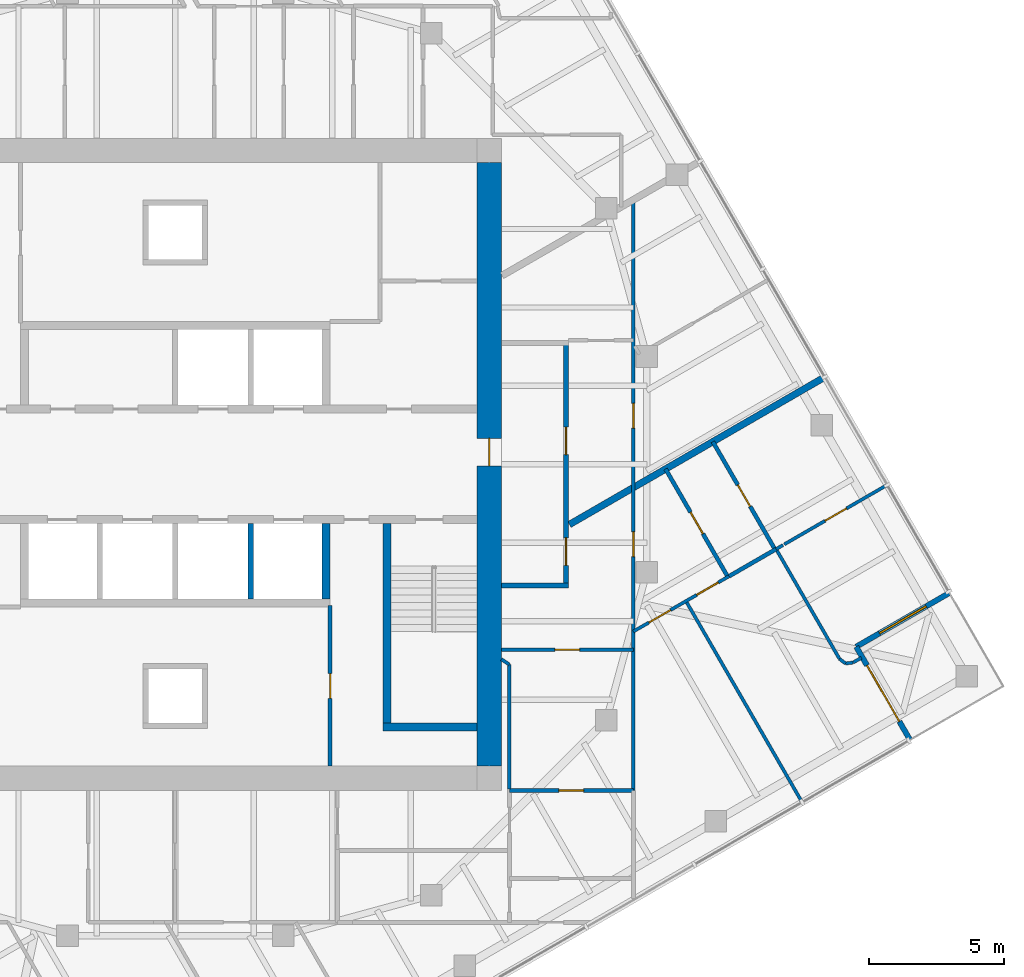
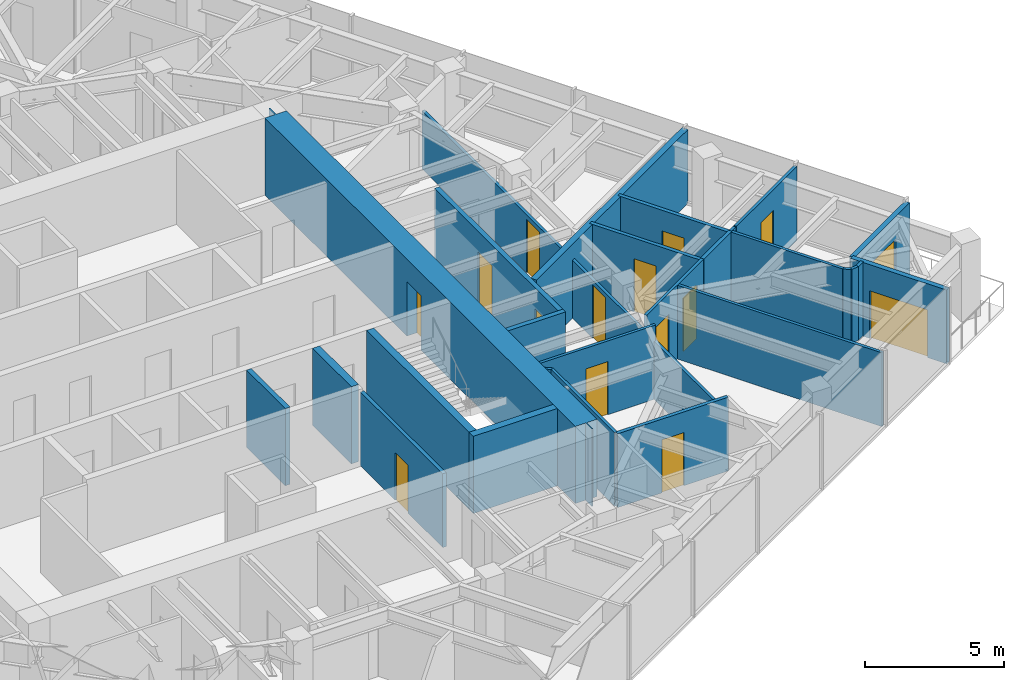
# One storey, part 9 of 13: 27 walls, 14 doors, 1 window, 15 openings.
"""IFC4 building model written with IfcOpenShell, lengths in metres."""

from ifc_helpers import new_model, si_unit, direction, frame, frame_2d, origin, place, context, subcontext, project, spatial, polyline, rectangle, outline, extrude, material, layer, layer_set, type_object, element, fill, save


model = new_model("IFC4")

# Units and contexts
model_context = context("Model", 3, precision=1e-05, world=origin(), true_north=direction((0.0, 1.0)))
body_context = subcontext(model_context, "Body", "Model", "MODEL_VIEW")
ifc_project = project(units=[si_unit("LENGTHUNIT", "METRE"), si_unit("AREAUNIT", "SQUARE_METRE"), si_unit("VOLUMEUNIT", "CUBIC_METRE"), si_unit("PLANEANGLEUNIT", "RADIAN"), si_unit("MASSUNIT", "GRAM", prefix="KILO")], contexts=[model_context])

# Site, building, storey
site_placement = place(None, origin())
site = spatial("IfcSite", under=ifc_project, at=site_placement, CompositionType="ELEMENT")
building_placement = place(site_placement, origin())
building = spatial("IfcBuilding", under=site, at=building_placement, Name="Torsade Residences", CompositionType="ELEMENT")
storey_placement = place(building_placement, frame((0.0, 0.0, 208.199951171875)))
storey = spatial("IfcBuildingStorey", under=building, at=storey_placement, Name="L57", CompositionType="ELEMENT", Elevation=208.199951171875)

# Walls
ifc_material_1 = material(Name="Concrete 80 MPa", Category="concrete")
ifc_layer_1 = layer(ifc_material_1, 0.300048828125)
ifc_layer_set_1 = layer_set([ifc_layer_1], Name="Concrete 80 MPa")
wall_type_1 = type_object("IfcWallType", Name="CORE INTERNAL WALL 300", PredefinedType="SHEAR", material=ifc_layer_set_1)
wall_1_placement = place(storey_placement, frame((45.60009765625, 27.800048828125, 0.0), z_axis=(0.0, 0.0, 1.0), x_axis=(0.0, -1.0, 0.0)))
element("IfcWall", 1, at=wall_1_placement, inside=storey, type_object=wall_type_1, Name="Core wall DS0 L57", PredefinedType="SHEAR", context=body_context, shape_type="SweptSolid", body=[
    extrude(rectangle(XDim=2.800048828125, YDim=0.300048828125, at=frame_2d((1.39990234375, 0.0))), origin(), (0.0, 0.0, 1.0), 3.400146484375),
])
wall_2_placement = place(storey_placement, frame((47.85009765625, 27.800048828125, 0.0), z_axis=(0.0, 0.0, 1.0), x_axis=(0.0, -1.0, 0.0)))
element("IfcWall", 2, at=wall_2_placement, inside=storey, type_object=wall_type_1, Name="Core wall ST2W L57", PredefinedType="SHEAR", context=body_context, shape_type="SweptSolid", body=[
    extrude(rectangle(XDim=7.699951171875, YDim=0.300048828125, at=frame_2d((3.85009765625, 0.0))), origin(), (0.0, 0.0, 1.0), 3.400146484375),
])
wall_3_placement = place(storey_placement, frame((51.199951171875, 20.25, 0.0), z_axis=(0.0, 0.0, 1.0), x_axis=(-1.0, 0.0, 0.0)))
element("IfcWall", 3, at=wall_3_placement, inside=storey, type_object=wall_type_1, Name="Core wall ST2S L57", PredefinedType="SHEAR", context=body_context, shape_type="SweptSolid", body=[
    extrude(rectangle(XDim=3.5, YDim=0.300048828125, at=frame_2d((1.75, 0.0))), origin(), (0.0, 0.0, 1.0), 3.400146484375),
])

# Wall, opening, door
ifc_material_2 = material(Name="Concrete 80 MPa", Category="concrete")
ifc_layer_2 = layer(ifc_material_2, 0.89990234375)
ifc_layer_set_2 = layer_set([ifc_layer_2], Name="Concrete 80 MPa")
wall_type_2 = type_object("IfcWallType", Name="CORE WALL 900", PredefinedType="SHEAR", material=ifc_layer_set_2)
wall_4_placement = place(storey_placement, frame((51.64990234375, 18.800048828125, 0.0), z_axis=(0.0, 0.0, 1.0), x_axis=(0.0, 1.0, 0.0)))
wall_4 = element("IfcWall", 4, at=wall_4_placement, inside=storey, type_object=wall_type_2, Name="Core wall E L57", PredefinedType="SHEAR", context=body_context, shape_type="SweptSolid", body=[
    extrude(outline(polyline([(0.0, -0.449951171875), (22.39990234375, -0.449951171875), (22.39990234375, -0.02490234375), (22.849853515625, -0.02490234375), (22.849853515625, 0.02490234375), (22.39990234375, 0.02490234375), (22.39990234375, 0.449951171875), (0.0, 0.449951171875), (0.0, 0.02490234375), (-0.449951171875, 0.02490234375), (-0.449951171875, -0.02490234375), (0.0, -0.02490234375), (0.0, -0.449951171875)])), origin(), (0.0, 0.0, 1.0), 3.400146484375),
])
opening_1_placement = place(wall_4_placement, frame((11.139892578125, 0.0, 0.0)))
opening_1 = element("IfcOpeningElement", 5, at=opening_1_placement, cuts=wall_4, Name="Opening D04", PredefinedType="OPENING", context=body_context, shape_type="SweptSolid", body=[
    extrude(rectangle(XDim=1.02001953125, YDim=2.39990234375, at=frame_2d((0.510009765625, 1.199951171875))), frame((0.0, 0.4599609375, 0.0), z_axis=(0.0, -1.0, 0.0), x_axis=(1.0, 0.0, 0.0)), (0.0, 0.0, 1.0), 0.919921875),
])
ifc_material_3 = material(Name="Steel-framed fire door", Category="steel")
door_type_1 = type_object("IfcDoorType", Name="LOBBY SMOKE DOOR 1020x2400", OperationType="NOTDEFINED", PredefinedType="DOOR", material=ifc_material_3)
door_1_placement = place(opening_1_placement, origin())
door_1 = element("IfcDoor", 6, at=door_1_placement, inside=storey, type_object=door_type_1, Name="Lift lobby door E L57", OperationType="SINGLE_SWING_LEFT", OverallHeight=2.39990234375, OverallWidth=1.02001953125, PredefinedType="DOOR", context=body_context, shape_type="SweptSolid", body=[
    extrude(rectangle(XDim=1.02001953125, YDim=2.39990234375, at=frame_2d((0.510009765625, 1.199951171875))), frame((0.0, 0.02490234375, 0.0), z_axis=(0.0, -1.0, 0.0), x_axis=(1.0, 0.0, 0.0)), (0.0, 0.0, 1.0), 0.050048828125),
])
fill(opening_1, door_1)

# Wall, openings, doors
ifc_material_4 = material(Name="Plasterboard on steel stud", Category="steel")
ifc_layer_3 = layer(ifc_material_4, 0.199951171875)
ifc_layer_set_3 = layer_set([ifc_layer_3], Name="Plasterboard on steel stud")
wall_type_3 = type_object("IfcWallType", Name="CORRIDOR WALL 200", PredefinedType="PARTITIONING", material=ifc_layer_set_3)
wall_5_placement = place(storey_placement, frame((54.5, 25.5, 0.0), z_axis=(0.0, 0.0, 1.0), x_axis=(0.0, 1.0, 0.0)))
wall_5 = element("IfcWall", 7, at=wall_5_placement, inside=storey, type_object=wall_type_3, Name="Corridor wall L57", PredefinedType="PARTITIONING", context=body_context, shape_type="SweptSolid", body=[
    extrude(rectangle(XDim=9.0, YDim=0.199951171875, at=frame_2d((4.5, 0.0))), origin(), (0.0, 0.0, 1.0), 3.25),
])
opening_2_placement = place(wall_5_placement, frame((4.862060546875, 0.0, 0.0)))
opening_2 = element("IfcOpeningElement", 8, at=opening_2_placement, cuts=wall_5, Name="Opening D01", PredefinedType="OPENING", context=body_context, shape_type="SweptSolid", body=[
    extrude(rectangle(XDim=1.02001953125, YDim=2.340087890625, at=frame_2d((0.510009765625, 1.169921875))), frame((0.0, 0.10986328125, 0.0), z_axis=(0.0, -1.0, 0.0), x_axis=(1.0, 0.0, 0.0)), (0.0, 0.0, 1.0), 0.219970703125),
])
opening_3_placement = place(wall_5_placement, frame((0.750732421875, 0.0, 0.0)))
opening_3 = element("IfcOpeningElement", 9, at=opening_3_placement, cuts=wall_5, Name="Opening D01", PredefinedType="OPENING", context=body_context, shape_type="SweptSolid", body=[
    extrude(rectangle(XDim=1.02001953125, YDim=2.340087890625, at=frame_2d((0.510009765625, 1.169921875))), frame((0.0, 0.10986328125, 0.0), z_axis=(0.0, -1.0, 0.0), x_axis=(1.0, 0.0, 0.0)), (0.0, 0.0, 1.0), 0.219970703125),
])
ifc_material_5 = material(Name="Solid-core timber fire door", Category="wood")
door_type_2 = type_object("IfcDoorType", Name="APARTMENT ENTRY DOOR 1020x2340", OperationType="NOTDEFINED", PredefinedType="DOOR", material=ifc_material_5)
door_2_placement = place(opening_2_placement, origin())
door_2 = element("IfcDoor", 10, at=door_2_placement, inside=storey, type_object=door_type_2, Name="Door Residential corridor to Kitchen and dining", OperationType="SINGLE_SWING_LEFT", OverallHeight=2.340087890625, OverallWidth=1.02001953125, PredefinedType="DOOR", context=body_context, shape_type="SweptSolid", body=[
    extrude(rectangle(XDim=1.02001953125, YDim=2.340087890625, at=frame_2d((0.510009765625, 1.169921875))), frame((0.0, 0.02490234375, 0.0), z_axis=(0.0, -1.0, 0.0), x_axis=(1.0, 0.0, 0.0)), (0.0, 0.0, 1.0), 0.050048828125),
])
fill(opening_2, door_2)
door_3_placement = place(opening_3_placement, origin())
door_3 = element("IfcDoor", 11, at=door_3_placement, inside=storey, type_object=door_type_2, Name="Door Residential corridor to Kitchen and dining", OperationType="SINGLE_SWING_LEFT", OverallHeight=2.340087890625, OverallWidth=1.02001953125, PredefinedType="DOOR", context=body_context, shape_type="SweptSolid", body=[
    extrude(rectangle(XDim=1.02001953125, YDim=2.340087890625, at=frame_2d((0.510009765625, 1.169921875))), frame((0.0, 0.02490234375, 0.0), z_axis=(0.0, -1.0, 0.0), x_axis=(1.0, 0.0, 0.0)), (0.0, 0.0, 1.0), 0.050048828125),
])
fill(opening_3, door_3)

# Walls
wall_6_placement = place(storey_placement, frame((52.10009765625, 25.5, 0.0), z_axis=(0.0, 0.0, 1.0), x_axis=(1.0, 0.0, 0.0)))
element("IfcWall", 12, at=wall_6_placement, inside=storey, type_object=wall_type_3, Name="Corridor wall L57", PredefinedType="PARTITIONING", context=body_context, shape_type="SweptSolid", body=[
    extrude(rectangle(XDim=2.5, YDim=0.199951171875, at=frame_2d((1.25, 0.0))), origin(), (0.0, 0.0, 1.0), 3.25),
])
ifc_material_6 = material(Name="Reinforced blockwork", Category="masonry")
ifc_layer_4 = layer(ifc_material_6, 0.199951171875)
ifc_layer_set_4 = layer_set([ifc_layer_4], Name="Reinforced blockwork")
wall_type_4 = type_object("IfcWallType", Name="LIFT SHAFT DIVIDING WALL 200", PredefinedType="SOLIDWALL", material=ifc_layer_set_4)
wall_7_placement = place(storey_placement, frame((42.800048828125, 27.800048828125, 0.0), z_axis=(0.0, 0.0, 1.0), x_axis=(0.0, -1.0, 0.0)))
element("IfcWall", 13, at=wall_7_placement, inside=storey, type_object=wall_type_4, Name="Core wall DS1 L57", PredefinedType="SOLIDWALL", context=body_context, shape_type="SweptSolid", body=[
    extrude(rectangle(XDim=2.800048828125, YDim=0.199951171875, at=frame_2d((1.39990234375, 0.0))), origin(), (0.0, 0.0, 1.0), 3.400146484375),
])

# Wall, opening, door
ifc_material_7 = material(Name="Plasterboard on steel stud", Category="steel")
ifc_layer_5 = layer(ifc_material_7, 0.1201171875)
ifc_layer_set_5 = layer_set([ifc_layer_5], Name="Plasterboard on steel stud")
wall_type_5 = type_object("IfcWallType", Name="PARTITION 120", PredefinedType="PARTITIONING", material=ifc_layer_set_5)
wall_8_placement = place(storey_placement, frame((57.0, 23.116455078125, 0.0), z_axis=(0.0, 0.0, 1.0), x_axis=(-1.0, 0.0, 0.0)))
wall_8 = element("IfcWall", 14, at=wall_8_placement, inside=storey, type_object=wall_type_5, Name="Partition L57", PredefinedType="PARTITIONING", context=body_context, shape_type="SweptSolid", body=[
    extrude(rectangle(XDim=4.89990234375, YDim=0.1201171875, at=frame_2d((2.449951171875, 0.0))), origin(), (0.0, 0.0, 1.0), 3.25),
])
opening_4_placement = place(wall_8_placement, frame((1.989990234375, 0.0, 0.0)))
opening_4 = element("IfcOpeningElement", 15, at=opening_4_placement, cuts=wall_8, Name="Opening D02", PredefinedType="OPENING", context=body_context, shape_type="SweptSolid", body=[
    extrude(rectangle(XDim=0.919921875, YDim=2.340087890625, at=frame_2d((0.4599609375, 1.169921875))), frame((0.0, 0.070068359375, 0.0), z_axis=(0.0, -1.0, 0.0), x_axis=(1.0, 0.0, 0.0)), (0.0, 0.0, 1.0), 0.14013671875),
])
ifc_material_8 = material(Name="Hollow-core timber door", Category="wood")
door_type_3 = type_object("IfcDoorType", Name="INTERNAL DOOR 920x2340", OperationType="NOTDEFINED", PredefinedType="DOOR", material=ifc_material_8)
door_4_placement = place(opening_4_placement, origin())
door_4 = element("IfcDoor", 16, at=door_4_placement, inside=storey, type_object=door_type_3, Name="Door Kitchen and dining to Walk-in robe", OperationType="SINGLE_SWING_LEFT", OverallHeight=2.340087890625, OverallWidth=0.919921875, PredefinedType="DOOR", context=body_context, shape_type="SweptSolid", body=[
    extrude(rectangle(XDim=0.919921875, YDim=2.340087890625, at=frame_2d((0.4599609375, 1.169921875))), frame((0.0, 0.02490234375, 0.0), z_axis=(0.0, -1.0, 0.0), x_axis=(1.0, 0.0, 0.0)), (0.0, 0.0, 1.0), 0.050048828125),
])
fill(opening_4, door_4)

# Wall, openings, doors
wall_9_placement = place(storey_placement, frame((57.0, 39.81494140625, 0.0), z_axis=(0.0, 0.0, 1.0), x_axis=(0.0, -1.0, 0.0)))
wall_9 = element("IfcWall", 17, at=wall_9_placement, inside=storey, type_object=wall_type_5, Name="Partition L57", PredefinedType="PARTITIONING", context=body_context, shape_type="SweptSolid", body=[
    extrude(rectangle(XDim=21.919189453125, YDim=0.1201171875, at=frame_2d((10.95947265625, 0.0))), origin(), (0.0, 0.0, 1.0), 2.550048828125),
])
opening_5_placement = place(wall_9_placement, frame((7.55078125, 0.0, 0.0)))
opening_5 = element("IfcOpeningElement", 18, at=opening_5_placement, cuts=wall_9, Name="Opening D02", PredefinedType="OPENING", context=body_context, shape_type="SweptSolid", body=[
    extrude(rectangle(XDim=0.919921875, YDim=2.340087890625, at=frame_2d((0.4599609375, 1.169921875))), frame((0.0, 0.070068359375, 0.0), z_axis=(0.0, -1.0, 0.0), x_axis=(1.0, 0.0, 0.0)), (0.0, 0.0, 1.0), 0.14013671875),
])
opening_6_placement = place(wall_9_placement, frame((12.320068359375, 0.0, 0.0)))
opening_6 = element("IfcOpeningElement", 19, at=opening_6_placement, cuts=wall_9, Name="Opening D02", PredefinedType="OPENING", context=body_context, shape_type="SweptSolid", body=[
    extrude(rectangle(XDim=0.919921875, YDim=2.340087890625, at=frame_2d((0.4599609375, 1.169921875))), frame((0.0, 0.070068359375, 0.0), z_axis=(0.0, -1.0, 0.0), x_axis=(1.0, 0.0, 0.0)), (0.0, 0.0, 1.0), 0.14013671875),
])
door_5_placement = place(opening_5_placement, origin())
door_5 = element("IfcDoor", 20, at=door_5_placement, inside=storey, type_object=door_type_3, Name="Door Kitchen and dining to Living room", OperationType="SINGLE_SWING_LEFT", OverallHeight=2.340087890625, OverallWidth=0.919921875, PredefinedType="DOOR", context=body_context, shape_type="SweptSolid", body=[
    extrude(rectangle(XDim=0.919921875, YDim=2.340087890625, at=frame_2d((0.4599609375, 1.169921875))), frame((0.0, 0.02490234375, 0.0), z_axis=(0.0, -1.0, 0.0), x_axis=(1.0, 0.0, 0.0)), (0.0, 0.0, 1.0), 0.050048828125),
])
fill(opening_5, door_5)
door_6_placement = place(opening_6_placement, origin())
door_6 = element("IfcDoor", 21, at=door_6_placement, inside=storey, type_object=door_type_3, Name="Door Kitchen and dining to Walk-in robe 3", OperationType="SINGLE_SWING_RIGHT", OverallHeight=2.340087890625, OverallWidth=0.919921875, PredefinedType="DOOR", context=body_context, shape_type="SweptSolid", body=[
    extrude(rectangle(XDim=0.919921875, YDim=2.340087890625, at=frame_2d((0.4599609375, 1.169921875))), frame((0.0, 0.02490234375, 0.0), z_axis=(0.0, -1.0, 0.0), x_axis=(1.0, 0.0, 0.0)), (0.0, 0.0, 1.0), 0.050048828125),
])
fill(opening_6, door_6)

# Walls
wall_10_placement = place(storey_placement, frame((52.10009765625, 22.766357421875, 0.0), z_axis=(0.0, 0.0, 1.0), x_axis=(0.830477359488, -0.55705238118, 0.0)))
element("IfcWall", 22, at=wall_10_placement, inside=storey, type_object=wall_type_5, Name="Partition L57", PredefinedType="PARTITIONING", context=body_context, shape_type="SweptSolid", body=[
    extrude(rectangle(XDim=0.35888671875, YDim=0.1201171875, at=frame_2d((0.179443359375, 0.0))), origin(), (0.0, 0.0, 1.0), 3.25),
])
wall_11_placement = place(storey_placement, frame((52.398193359375, 22.56640625, 0.0), z_axis=(0.0, 0.0, 1.0), x_axis=(0.0, -1.0, 0.0)))
element("IfcWall", 23, at=wall_11_placement, inside=storey, type_object=wall_type_5, Name="Partition L57", PredefinedType="PARTITIONING", context=body_context, shape_type="SweptSolid", body=[
    extrude(rectangle(XDim=4.62060546875, YDim=0.1201171875, at=frame_2d((2.310302734375, 0.0))), origin(), (0.0, 0.0, 1.0), 3.25),
])
wall_12_placement = place(storey_placement, frame((63.24609375, 17.486572265625, 0.0), z_axis=(0.0, 0.0, 1.0), x_axis=(-0.49999898161, 0.866025991751, 0.0)))
element("IfcWall", 24, at=wall_12_placement, inside=storey, type_object=wall_type_5, Name="Partition L57", PredefinedType="PARTITIONING", context=body_context, shape_type="SweptSolid", body=[
    extrude(rectangle(XDim=8.5849609375, YDim=0.1201171875, at=frame_2d((4.29248046875, 0.0))), origin(), (0.0, 0.0, 1.0), 3.25),
])

# Wall, openings, doors
wall_13_placement = place(storey_placement, frame((57.0, 23.79345703125, 0.0), z_axis=(0.0, 0.0, 1.0), x_axis=(0.866007146345, 0.50003162148, 0.0)))
wall_13 = element("IfcWall", 25, at=wall_13_placement, inside=storey, type_object=wall_type_5, Name="Partition L57", PredefinedType="PARTITIONING", context=body_context, shape_type="SweptSolid", body=[
    extrude(rectangle(XDim=4.101318359375, YDim=0.1201171875, at=frame_2d((2.05078125, 0.0))), origin(), (0.0, 0.0, 1.0), 3.25),
])
opening_7_placement = place(wall_13_placement, frame((0.66796875, 0.0, 0.0)))
opening_7 = element("IfcOpeningElement", 26, at=opening_7_placement, cuts=wall_13, Name="Opening D02", PredefinedType="OPENING", context=body_context, shape_type="SweptSolid", body=[
    extrude(rectangle(XDim=0.919921875, YDim=2.340087890625, at=frame_2d((0.4599609375, 1.169921875))), frame((0.0, 0.070068359375, 0.0), z_axis=(0.0, -1.0, 0.0), x_axis=(1.0, 0.0, 0.0)), (0.0, 0.0, 1.0), 0.14013671875),
])
opening_8_placement = place(wall_13_placement, frame((2.718505859375, 0.0, 0.0)))
opening_8 = element("IfcOpeningElement", 27, at=opening_8_placement, cuts=wall_13, Name="Opening D02", PredefinedType="OPENING", context=body_context, shape_type="SweptSolid", body=[
    extrude(rectangle(XDim=0.919921875, YDim=2.340087890625, at=frame_2d((0.4599609375, 1.169921875))), frame((0.0, 0.070068359375, 0.0), z_axis=(0.0, -1.0, 0.0), x_axis=(1.0, 0.0, 0.0)), (0.0, 0.0, 1.0), 0.14013671875),
])
door_7_placement = place(opening_7_placement, origin())
door_7 = element("IfcDoor", 28, at=door_7_placement, inside=storey, type_object=door_type_3, Name="Door Walk-in robe 3 to Bedroom 2", OperationType="SINGLE_SWING_LEFT", OverallHeight=2.340087890625, OverallWidth=0.919921875, PredefinedType="DOOR", context=body_context, shape_type="SweptSolid", body=[
    extrude(rectangle(XDim=0.919921875, YDim=2.340087890625, at=frame_2d((0.4599609375, 1.169921875))), frame((0.0, 0.02490234375, 0.0), z_axis=(0.0, -1.0, 0.0), x_axis=(1.0, 0.0, 0.0)), (0.0, 0.0, 1.0), 0.050048828125),
])
fill(opening_7, door_7)
door_8_placement = place(opening_8_placement, origin())
door_8 = element("IfcDoor", 29, at=door_8_placement, inside=storey, type_object=door_type_3, Name="Door Walk-in robe 3 to Bedroom 1", OperationType="SINGLE_SWING_RIGHT", OverallHeight=2.340087890625, OverallWidth=0.919921875, PredefinedType="DOOR", context=body_context, shape_type="SweptSolid", body=[
    extrude(rectangle(XDim=0.919921875, YDim=2.340087890625, at=frame_2d((0.4599609375, 1.169921875))), frame((0.0, 0.02490234375, 0.0), z_axis=(0.0, -1.0, 0.0), x_axis=(1.0, 0.0, 0.0)), (0.0, 0.0, 1.0), 0.050048828125),
])
fill(opening_8, door_8)

# Walls
wall_14_placement = place(storey_placement, frame((62.298583984375, 26.8525390625, 0.0), z_axis=(0.0, 0.0, 1.0), x_axis=(0.500006955494, -0.866021387991, 0.0)))
element("IfcWall", 30, at=wall_14_placement, inside=storey, type_object=wall_type_5, Name="Partition L57", PredefinedType="PARTITIONING", context=body_context, shape_type="SweptSolid", body=[
    extrude(rectangle(XDim=4.70458984375, YDim=0.1201171875, at=frame_2d((2.352294921875, 0.0))), origin(), (0.0, 0.0, 1.0), 3.25),
])
wall_15_placement = place(storey_placement, frame((64.65087890625, 22.7783203125, 0.0), z_axis=(0.0, 0.0, 1.0), x_axis=(0.793231928283, -0.608919623557, 0.0)))
element("IfcWall", 31, at=wall_15_placement, inside=storey, type_object=wall_type_5, Name="Partition L57", PredefinedType="PARTITIONING", context=body_context, shape_type="SweptSolid", body=[
    extrude(rectangle(XDim=0.283447265625, YDim=0.1201171875, at=frame_2d((0.1416015625, 0.0))), origin(), (0.0, 0.0, 1.0), 3.25),
])
wall_16_placement = place(storey_placement, frame((64.875732421875, 22.605712890625, 0.0), z_axis=(0.0, 0.0, 1.0), x_axis=(0.991407364485, 0.130810693925, 0.0)))
element("IfcWall", 32, at=wall_16_placement, inside=storey, type_object=wall_type_5, Name="Partition L57", PredefinedType="PARTITIONING", context=body_context, shape_type="SweptSolid", body=[
    extrude(rectangle(XDim=0.28369140625, YDim=0.1201171875, at=frame_2d((0.141845703125, 0.0))), origin(), (0.0, 0.0, 1.0), 3.25),
])
wall_17_placement = place(storey_placement, frame((65.156982421875, 22.642822265625, 0.0), z_axis=(0.0, 0.0, 1.0), x_axis=(0.866058575552, 0.499942540411, 0.0)))
element("IfcWall", 33, at=wall_17_placement, inside=storey, type_object=wall_type_5, Name="Partition L57", PredefinedType="PARTITIONING", context=body_context, shape_type="SweptSolid", body=[
    extrude(rectangle(XDim=0.35205078125, YDim=0.1201171875, at=frame_2d((0.176025390625, 0.0))), origin(), (0.0, 0.0, 1.0), 3.25),
])
wall_18_placement = place(storey_placement, frame((62.5546875, 27.00048828125, 0.0), z_axis=(0.0, 0.0, 1.0), x_axis=(-0.865896854829, -0.500222587251, 0.0)))
element("IfcWall", 34, at=wall_18_placement, inside=storey, type_object=wall_type_5, Name="Partition L57", PredefinedType="PARTITIONING", context=body_context, shape_type="SweptSolid", body=[
    extrude(rectangle(XDim=0.295654296875, YDim=0.1201171875, at=frame_2d((0.14794921875, 0.0))), origin(), (0.0, 0.0, 1.0), 3.25),
])

# Wall, opening, door
wall_19_placement = place(storey_placement, frame((66.388427734375, 29.2138671875, 0.0), z_axis=(0.0, 0.0, 1.0), x_axis=(-0.866032173762, -0.499988273872, 0.0)))
wall_19 = element("IfcWall", 35, at=wall_19_placement, inside=storey, type_object=wall_type_5, Name="Partition L57", PredefinedType="PARTITIONING", context=body_context, shape_type="SweptSolid", body=[
    extrude(rectangle(XDim=4.37255859375, YDim=0.1201171875, at=frame_2d((2.186279296875, 0.0))), origin(), (0.0, 0.0, 1.0), 3.25),
])
opening_9_placement = place(wall_19_placement, frame((1.706298828125, 0.0, 0.0)))
opening_9 = element("IfcOpeningElement", 36, at=opening_9_placement, cuts=wall_19, Name="Opening D02", PredefinedType="OPENING", context=body_context, shape_type="SweptSolid", body=[
    extrude(rectangle(XDim=0.919921875, YDim=2.340087890625, at=frame_2d((0.4599609375, 1.169921875))), frame((0.0, 0.070068359375, 0.0), z_axis=(0.0, -1.0, 0.0), x_axis=(1.0, 0.0, 0.0)), (0.0, 0.0, 1.0), 0.14013671875),
])
door_9_placement = place(opening_9_placement, origin())
door_9 = element("IfcDoor", 37, at=door_9_placement, inside=storey, type_object=door_type_3, Name="Door Family room to Family room 2", OperationType="SINGLE_SWING_RIGHT", OverallHeight=2.340087890625, OverallWidth=0.919921875, PredefinedType="DOOR", context=body_context, shape_type="SweptSolid", body=[
    extrude(rectangle(XDim=0.919921875, YDim=2.340087890625, at=frame_2d((0.4599609375, 1.169921875))), frame((0.0, 0.02490234375, 0.0), z_axis=(0.0, -1.0, 0.0), x_axis=(1.0, 0.0, 0.0)), (0.0, 0.0, 1.0), 0.050048828125),
])
fill(opening_9, door_9)

# Wall
ifc_material_9 = material(Name="Masonry-lined stud party wall", Category="masonry")
ifc_layer_6 = layer(ifc_material_9, 0.25)
ifc_layer_set_6 = layer_set([ifc_layer_6], Name="Masonry-lined stud party wall")
wall_type_6 = type_object("IfcWallType", Name="PARTY WALL 250", PredefinedType="PARTITIONING", material=ifc_layer_set_6)
wall_20_placement = place(storey_placement, frame((64.110595703125, 33.2392578125, 0.0), z_axis=(0.0, 0.0, 1.0), x_axis=(-0.866024069551, -0.500002310952, 0.0)))
element("IfcWall", 38, at=wall_20_placement, inside=storey, type_object=wall_type_6, Name="Party wall L57", PredefinedType="PARTITIONING", context=body_context, shape_type="SweptSolid", body=[
    extrude(rectangle(XDim=10.94970703125, YDim=0.25, at=frame_2d((5.474853515625, 0.0))), origin(), (0.0, 0.0, 1.0), 3.25),
])

# Wall, opening, door
ifc_material_10 = material(Name="Reinforced blockwork", Category="masonry")
ifc_layer_7 = layer(ifc_material_10, 0.14990234375)
ifc_layer_set_7 = layer_set([ifc_layer_7], Name="Reinforced blockwork")
wall_type_7 = type_object("IfcWallType", Name="SERVICE ROOM WALL 150", PredefinedType="SOLIDWALL", material=ifc_layer_set_7)
wall_21_placement = place(storey_placement, frame((45.75, 18.800048828125, 0.0), z_axis=(0.0, 0.0, 1.0), x_axis=(0.0, 1.0, 0.0)))
wall_21 = element("IfcWall", 39, at=wall_21_placement, inside=storey, type_object=wall_type_7, Name="Service room wall L57", PredefinedType="SOLIDWALL", context=body_context, shape_type="SweptSolid", body=[
    extrude(rectangle(XDim=5.949951171875, YDim=0.14990234375, at=frame_2d((2.97509765625, 0.0))), origin(), (0.0, 0.0, 1.0), 3.25),
])
opening_10_placement = place(wall_21_placement, frame((2.514892578125, 0.0, 0.0)))
opening_10 = element("IfcOpeningElement", 40, at=opening_10_placement, cuts=wall_21, Name="Opening D06", PredefinedType="OPENING", context=body_context, shape_type="SweptSolid", body=[
    extrude(rectangle(XDim=0.919921875, YDim=2.10009765625, at=frame_2d((0.4599609375, 1.050048828125))), frame((0.0, 0.0849609375, 0.0), z_axis=(0.0, -1.0, 0.0), x_axis=(1.0, 0.0, 0.0)), (0.0, 0.0, 1.0), 0.169921875),
])
ifc_material_11 = material(Name="Steel-framed fire door", Category="steel")
door_type_4 = type_object("IfcDoorType", Name="FIRE DOOR 920", OperationType="NOTDEFINED", PredefinedType="DOOR", material=ifc_material_11)
door_10_placement = place(opening_10_placement, origin())
door_10 = element("IfcDoor", 41, at=door_10_placement, inside=storey, type_object=door_type_4, Name="Door Communications equipment store to Communications riser room", OperationType="SINGLE_SWING_LEFT", OverallHeight=2.10009765625, OverallWidth=0.919921875, PredefinedType="DOOR", context=body_context, shape_type="SweptSolid", body=[
    extrude(rectangle(XDim=0.919921875, YDim=2.10009765625, at=frame_2d((0.4599609375, 1.050048828125))), frame((0.0, 0.02490234375, 0.0), z_axis=(0.0, -1.0, 0.0), x_axis=(1.0, 0.0, 0.0)), (0.0, 0.0, 1.0), 0.050048828125),
])
fill(opening_10, door_10)

wall_22_placement = place(storey_placement, frame((57.0, 17.895751953125, 0.0), z_axis=(0.0, 0.0, 1.0), x_axis=(-1.0, 0.0, 0.0)))
wall_22 = element("IfcWall", 42, at=wall_22_placement, inside=storey, type_object=wall_type_7, Name="Service room wall L57", PredefinedType="SOLIDWALL", context=body_context, shape_type="SweptSolid", body=[
    extrude(rectangle(XDim=4.601806640625, YDim=0.14990234375, at=frame_2d((2.30078125, 0.0))), origin(), (0.0, 0.0, 1.0), 3.25),
])
opening_11_placement = place(wall_22_placement, frame((1.8408203125, 0.0, 0.0)))
opening_11 = element("IfcOpeningElement", 43, at=opening_11_placement, cuts=wall_22, Name="Opening D02", PredefinedType="OPENING", context=body_context, shape_type="SweptSolid", body=[
    extrude(rectangle(XDim=0.919921875, YDim=2.340087890625, at=frame_2d((0.4599609375, 1.169921875))), frame((0.0, 0.0849609375, 0.0), z_axis=(0.0, -1.0, 0.0), x_axis=(1.0, 0.0, 0.0)), (0.0, 0.0, 1.0), 0.169921875),
])
door_11_placement = place(opening_11_placement, origin())
door_11 = element("IfcDoor", 44, at=door_11_placement, inside=storey, type_object=door_type_3, Name="Door Walk-in robe to Store", OperationType="SINGLE_SWING_LEFT", OverallHeight=2.340087890625, OverallWidth=0.919921875, PredefinedType="DOOR", context=body_context, shape_type="SweptSolid", body=[
    extrude(rectangle(XDim=0.919921875, YDim=2.340087890625, at=frame_2d((0.4599609375, 1.169921875))), frame((0.0, 0.02490234375, 0.0), z_axis=(0.0, -1.0, 0.0), x_axis=(1.0, 0.0, 0.0)), (0.0, 0.0, 1.0), 0.050048828125),
])
fill(opening_11, door_11)

# Wall
wall_23_placement = place(storey_placement, frame((60.5517578125, 25.84423828125, 0.0), z_axis=(0.0, 0.0, 1.0), x_axis=(0.866074730264, 0.499914554297, 0.0)))
element("IfcWall", 45, at=wall_23_placement, inside=storey, type_object=wall_type_7, Name="Service room wall L57", PredefinedType="SOLIDWALL", context=body_context, shape_type="SweptSolid", body=[
    extrude(rectangle(XDim=2.016845703125, YDim=0.14990234375, at=frame_2d((1.00830078125, 0.0))), origin(), (0.0, 0.0, 1.0), 3.25),
])

# Wall, opening, door
wall_24_placement = place(storey_placement, frame((62.2626953125, 26.83203125, 0.0), z_axis=(0.0, 0.0, 1.0), x_axis=(-0.499999662836, 0.866025598446, 0.0)))
wall_24 = element("IfcWall", 46, at=wall_24_placement, inside=storey, type_object=wall_type_7, Name="Service room wall L57", PredefinedType="SOLIDWALL", context=body_context, shape_type="SweptSolid", body=[
    extrude(rectangle(XDim=4.625, YDim=0.14990234375, at=frame_2d((2.3125, 0.0))), origin(), (0.0, 0.0, 1.0), 3.25),
])
opening_12_placement = place(wall_24_placement, frame((1.8525390625, 0.0, 0.0)))
opening_12 = element("IfcOpeningElement", 47, at=opening_12_placement, cuts=wall_24, Name="Opening D02", PredefinedType="OPENING", context=body_context, shape_type="SweptSolid", body=[
    extrude(rectangle(XDim=0.919921875, YDim=2.340087890625, at=frame_2d((0.4599609375, 1.169921875))), frame((0.0, 0.0849609375, 0.0), z_axis=(0.0, -1.0, 0.0), x_axis=(1.0, 0.0, 0.0)), (0.0, 0.0, 1.0), 0.169921875),
])
door_12_placement = place(opening_12_placement, origin())
door_12 = element("IfcDoor", 48, at=door_12_placement, inside=storey, type_object=door_type_3, Name="Door Linen store 3 to Family room", OperationType="SINGLE_SWING_RIGHT", OverallHeight=2.340087890625, OverallWidth=0.919921875, PredefinedType="DOOR", context=body_context, shape_type="SweptSolid", body=[
    extrude(rectangle(XDim=0.919921875, YDim=2.340087890625, at=frame_2d((0.4599609375, 1.169921875))), frame((0.0, 0.02490234375, 0.0), z_axis=(0.0, -1.0, 0.0), x_axis=(1.0, 0.0, 0.0)), (0.0, 0.0, 1.0), 0.050048828125),
])
fill(opening_12, door_12)

wall_25_placement = place(storey_placement, frame((58.196044921875, 29.824462890625, 0.0), z_axis=(0.0, 0.0, 1.0), x_axis=(0.499999662836, -0.866025598446, 0.0)))
wall_25 = element("IfcWall", 49, at=wall_25_placement, inside=storey, type_object=wall_type_7, Name="Service room wall L57", PredefinedType="SOLIDWALL", context=body_context, shape_type="SweptSolid", body=[
    extrude(rectangle(XDim=4.625, YDim=0.14990234375, at=frame_2d((2.3125, 0.0))), origin(), (0.0, 0.0, 1.0), 3.25),
])
opening_13_placement = place(wall_25_placement, frame((1.8525390625, 0.0, 0.0)))
opening_13 = element("IfcOpeningElement", 50, at=opening_13_placement, cuts=wall_25, Name="Opening D02", PredefinedType="OPENING", context=body_context, shape_type="SweptSolid", body=[
    extrude(rectangle(XDim=0.919921875, YDim=2.340087890625, at=frame_2d((0.4599609375, 1.169921875))), frame((0.0, 0.0849609375, 0.0), z_axis=(0.0, -1.0, 0.0), x_axis=(1.0, 0.0, 0.0)), (0.0, 0.0, 1.0), 0.169921875),
])
door_13_placement = place(opening_13_placement, origin())
door_13 = element("IfcDoor", 51, at=door_13_placement, inside=storey, type_object=door_type_3, Name="Door Walk-in robe 3 to Linen store 3", OperationType="SINGLE_SWING_LEFT", OverallHeight=2.340087890625, OverallWidth=0.919921875, PredefinedType="DOOR", context=body_context, shape_type="SweptSolid", body=[
    extrude(rectangle(XDim=0.919921875, YDim=2.340087890625, at=frame_2d((0.4599609375, 1.169921875))), frame((0.0, 0.02490234375, 0.0), z_axis=(0.0, -1.0, 0.0), x_axis=(1.0, 0.0, 0.0)), (0.0, 0.0, 1.0), 0.050048828125),
])
fill(opening_13, door_13)

ifc_material_12 = material(Name="Stone-faced precast concrete 40 MPa panel", Category="masonry")
ifc_layer_8 = layer(ifc_material_12, 0.199951171875)
ifc_layer_set_8 = layer_set([ifc_layer_8], Name="Stone-faced precast concrete 40 MPa panel")
wall_type_8 = type_object("IfcWallType", Name="TERRACE WALL 200", PredefinedType="SOLIDWALL", material=ifc_layer_set_8)
wall_26_placement = place(storey_placement, frame((67.271484375, 19.764404296875, 0.0), z_axis=(0.0, 0.0, 1.0), x_axis=(-0.49999894854, 0.866026010844, 0.0)))
wall_26 = element("IfcWall", 52, at=wall_26_placement, inside=storey, type_object=wall_type_8, Name="Terrace wall L57 2", PredefinedType="SOLIDWALL", context=body_context, shape_type="SweptSolid", body=[
    extrude(rectangle(XDim=4.0, YDim=0.199951171875, at=frame_2d((2.0, 0.0))), origin(), (0.0, 0.0, 1.0), 3.25),
])
opening_14_placement = place(wall_26_placement, frame((0.800048828125, 0.0, 0.0)))
opening_14 = element("IfcOpeningElement", 53, at=opening_14_placement, cuts=wall_26, Name="Opening D10A", PredefinedType="OPENING", context=body_context, shape_type="SweptSolid", body=[
    extrude(rectangle(XDim=2.39990234375, YDim=2.10009765625, at=frame_2d((1.199951171875, 1.050048828125))), frame((0.0, 0.10986328125, 0.0), z_axis=(0.0, -1.0, 0.0), x_axis=(1.0, 0.0, 0.0)), (0.0, 0.0, 1.0), 0.219970703125),
])
ifc_material_13 = material(Name="Aluminium-framed glass door", Category="aluminium")
door_type_5 = type_object("IfcDoorType", Name="TERRACE SLIDING DOOR 2400x2100", OperationType="SLIDING_TO_LEFT", PredefinedType="DOOR", material=ifc_material_13)
door_14_placement = place(opening_14_placement, origin())
door_14 = element("IfcDoor", 54, at=door_14_placement, inside=storey, type_object=door_type_5, Name="Terrace door L57 2", OperationType="SLIDING_TO_LEFT", OverallHeight=2.10009765625, OverallWidth=2.39990234375, PredefinedType="DOOR", context=body_context, shape_type="SweptSolid", body=[
    extrude(rectangle(XDim=2.39990234375, YDim=2.10009765625, at=frame_2d((1.199951171875, 1.050048828125))), frame((0.0, 0.02490234375, 0.0), z_axis=(0.0, -1.0, 0.0), x_axis=(1.0, 0.0, 0.0)), (0.0, 0.0, 1.0), 0.050048828125),
])
fill(opening_14, door_14)

# Wall, opening, window
wall_27_placement = place(storey_placement, frame((65.271484375, 23.228515625, 0.0), z_axis=(0.0, 0.0, 1.0), x_axis=(0.866026010844, 0.49999894854, 0.0)))
wall_27 = element("IfcWall", 55, at=wall_27_placement, inside=storey, type_object=wall_type_8, Name="Terrace wall L57 3", PredefinedType="SOLIDWALL", context=body_context, shape_type="SweptSolid", body=[
    extrude(rectangle(XDim=4.0, YDim=0.199951171875, at=frame_2d((2.0, 0.0))), origin(), (0.0, 0.0, 1.0), 3.25),
])
opening_15_placement = place(wall_27_placement, frame((1.0, 0.0, 0.449951171875)))
opening_15 = element("IfcOpeningElement", 56, at=opening_15_placement, cuts=wall_27, Name="Opening W1B", PredefinedType="OPENING", context=body_context, shape_type="SweptSolid", body=[
    extrude(rectangle(XDim=2.0, YDim=1.800048828125, at=frame_2d((1.0, 0.89990234375))), frame((0.0, 0.10986328125, 0.0), z_axis=(0.0, -1.0, 0.0), x_axis=(1.0, 0.0, 0.0)), (0.0, 0.0, 1.0), 0.219970703125),
])
ifc_material_14 = material(Name="Aluminium-framed glass window", Category="aluminium")
window_type = type_object("IfcWindowType", Name="TERRACE WINDOW 2000x1800", PartitioningType="SINGLE_PANEL", PredefinedType="WINDOW", material=ifc_material_14)
window_placement = place(opening_15_placement, origin())
window = element("IfcWindow", 57, at=window_placement, inside=storey, type_object=window_type, Name="Terrace window L57 3", OverallHeight=1.800048828125, OverallWidth=2.0, PartitioningType="SINGLE_PANEL", PredefinedType="WINDOW", context=body_context, shape_type="SweptSolid", body=[
    extrude(rectangle(XDim=2.0, YDim=1.800048828125, at=frame_2d((1.0, 0.89990234375))), frame((0.0, 0.030029296875, 0.0), z_axis=(0.0, -1.0, 0.0), x_axis=(1.0, 0.0, 0.0)), (0.0, 0.0, 1.0), 0.06005859375),
])
fill(opening_15, window)

save(model, "model.ifc")
